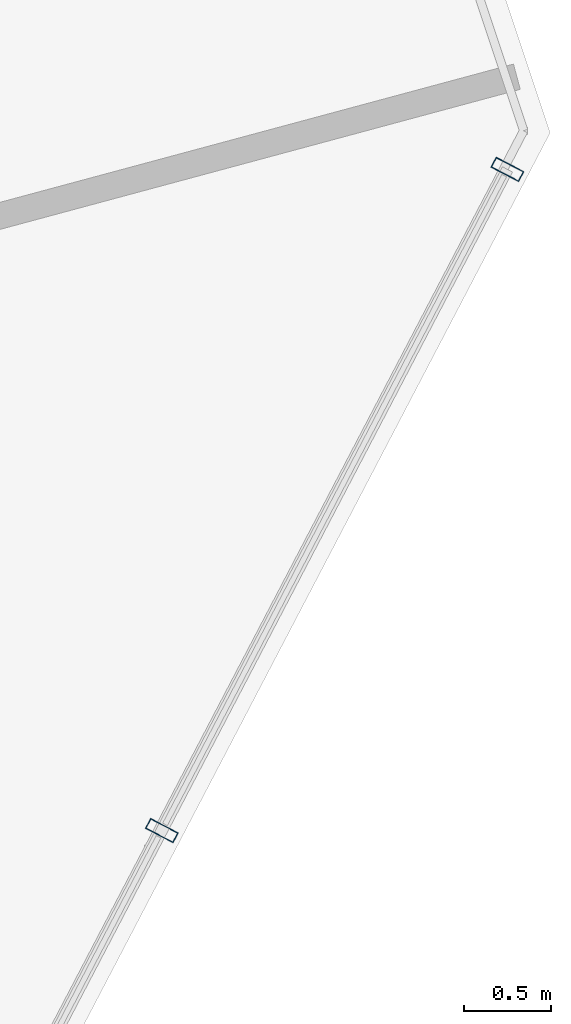
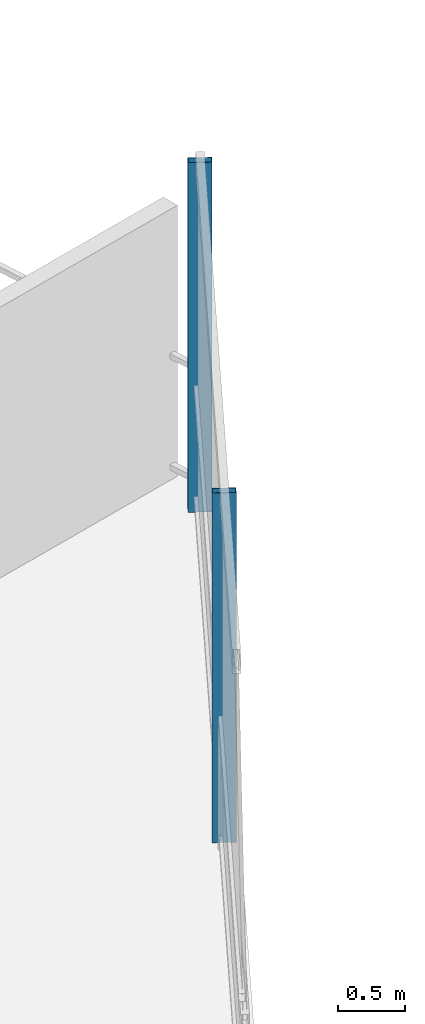
# One storey, part 13 of 25: 2 members, 1 element without a shape of its own.
"""IFC4 building model written with IfcOpenShell, lengths in metres."""

from ifc_helpers import new_model, si_unit, direction, frame, origin, origin_2d, place, context, subcontext, project, spatial, hollow_rectangle, extrude, material, layer, layer_set, material_profile, profile_set, type_object, element, aggregate, save


model = new_model("IFC4")

# Units and contexts
model_context = context("Model", 3, precision=1e-05, world=origin(), true_north=direction((0.0, 1.0)))
body_context = subcontext(model_context, "Body", "Model", "MODEL_VIEW")
ifc_project = project(units=[si_unit("LENGTHUNIT", "METRE"), si_unit("AREAUNIT", "SQUARE_METRE"), si_unit("VOLUMEUNIT", "CUBIC_METRE"), si_unit("PLANEANGLEUNIT", "RADIAN"), si_unit("MASSUNIT", "GRAM", prefix="KILO")], contexts=[model_context])

# Site, building, storey
site_placement = place(None, origin())
site = spatial("IfcSite", under=ifc_project, at=site_placement, CompositionType="ELEMENT")
building_placement = place(site_placement, origin())
building = spatial("IfcBuilding", under=site, at=building_placement, Name="Qarnah Convention Tower", CompositionType="ELEMENT")
storey_placement = place(building_placement, frame((0.0, 0.0, 76.35009765625)))
storey = spatial("IfcBuildingStorey", under=building, at=storey_placement, Name="L19", CompositionType="ELEMENT", Elevation=76.35009765625)

# Curtain wall, members
ifc_material_1 = material(Name="Tempered Low-E dark glass", Category="glass")
ifc_layer = layer(ifc_material_1, 0.169921875)
ifc_layer_set = layer_set([ifc_layer], Name="Tempered Low-E dark glass")
curtain_wall_type = type_object("IfcCurtainWallType", Name="CWS-02", PredefinedType="NOTDEFINED", material=ifc_layer_set)
curtain_wall_placement = place(storey_placement, origin())
curtain_wall = element("IfcCurtainWall", 1, at=curtain_wall_placement, inside=storey, type_object=curtain_wall_type, Name="L19 unitised curtain wall CW-L19-F1", PredefinedType="NOTDEFINED")
ifc_material_2 = material(Name="Black anodised aluminium", Category="aluminium")
ifc_material_profile = material_profile(ifc_material_2, hollow_rectangle(XDim=0.06494140625, YDim=0.179931640625, WallThickness=0.00390625, at=origin_2d()), Name="MUL-65X180")
ifc_profile_set = profile_set([ifc_material_profile], Name="Black anodised aluminium")
member_type = type_object("IfcMemberType", Name="MUL-T2", PredefinedType="MULLION", material=ifc_profile_set)
member_1_placement = place(storey_placement, frame((62.303955078125, 32.6259765625, 0.0), z_axis=(0.0, 0.0, 1.0), x_axis=(-0.463305640205, -0.886198557748, 0.0)))
member_1 = element("IfcMember", 2, at=member_1_placement, type_object=member_type, Name="CW-L19-F1 mullion 1", PredefinedType="MULLION", context=body_context, shape_type="SweptSolid", body=[
    extrude(hollow_rectangle(XDim=0.06494140625, YDim=0.179931640625, WallThickness=0.00390625, at=origin_2d()), origin(), (0.0, 0.0, 1.0), 3.169921875),
])
member_2_placement = place(storey_placement, frame((60.320556640625, 28.832275390625, 0.0), z_axis=(0.0, 0.0, 1.0), x_axis=(-0.463305640205, -0.886198557748, 0.0)))
member_2 = element("IfcMember", 3, at=member_2_placement, type_object=member_type, Name="CW-L19-F1 mullion 2", PredefinedType="MULLION", context=body_context, shape_type="SweptSolid", body=[
    extrude(hollow_rectangle(XDim=0.06494140625, YDim=0.179931640625, WallThickness=0.00390625, at=origin_2d()), origin(), (0.0, 0.0, 1.0), 3.169921875),
])
aggregate(curtain_wall, [member_1, member_2])

save(model, "model.ifc")
